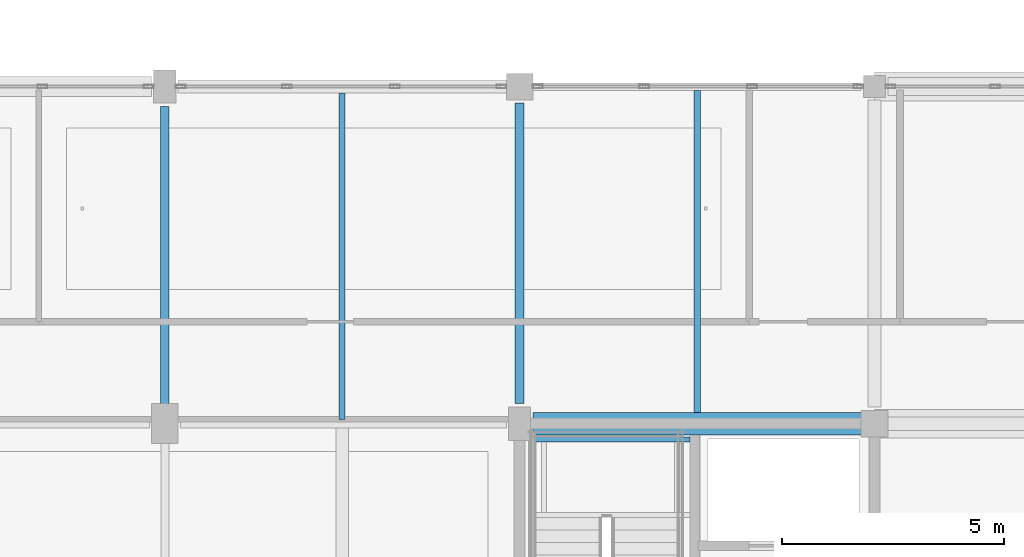
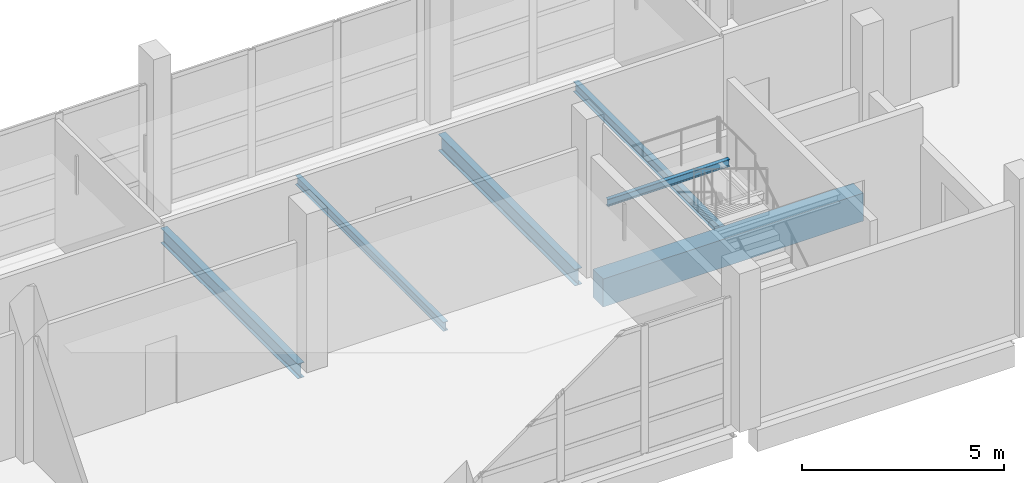
# One storey, part 34 of 141: 6 beams.
"""IFC4 building model written with IfcOpenShell, lengths in metres."""

from ifc_helpers import new_model, si_unit, direction, frame, origin, origin_2d, place, context, subcontext, project, spatial, rectangle, i_section, extrude, material, material_profile, profile_set, type_object, element, save


model = new_model("IFC4")

# Units and contexts
model_context = context("Model", 3, precision=1e-05, world=origin(), true_north=direction((0.0, 1.0)))
body_context = subcontext(model_context, "Body", "Model", "MODEL_VIEW")
ifc_project = project(units=[si_unit("LENGTHUNIT", "METRE"), si_unit("AREAUNIT", "SQUARE_METRE"), si_unit("VOLUMEUNIT", "CUBIC_METRE"), si_unit("PLANEANGLEUNIT", "RADIAN"), si_unit("MASSUNIT", "GRAM", prefix="KILO")], contexts=[model_context])

# Site, building, storey
site_placement = place(None, origin())
site = spatial("IfcSite", under=ifc_project, at=site_placement, CompositionType="ELEMENT")
building_placement = place(site_placement, origin())
building = spatial("IfcBuilding", under=site, at=building_placement, Name="Khelvaren Railside Concert Hall", CompositionType="ELEMENT")
storey_placement = place(building_placement, frame((0.0, 0.0, 10.199951171875)))
storey = spatial("IfcBuildingStorey", under=building, at=storey_placement, Name="L02", CompositionType="ELEMENT", Elevation=10.199951171875)

# Beams
ifc_material_1 = material(Name="Steel S355", Category="steel")
ifc_material_profile_1 = material_profile(ifc_material_1, i_section(OverallWidth=0.199951171875, OverallDepth=0.5, WebThickness=0.01025390625, FlangeThickness=0.01611328125, FilletRadius=0.02099609375, at=origin_2d()), Name="IPE 500")
ifc_profile_set_1 = profile_set([ifc_material_profile_1], Name="Steel S355")
beam_type_1 = type_object("IfcBeamType", Name="BM62", PredefinedType="BEAM", material=ifc_profile_set_1)
beam_1_placement = place(storey_placement, frame((120.0, 8.050048828125, -0.5400390625), z_axis=(0.0, 1.0, 0.0), x_axis=(-1.0, 0.0, 0.0)))
element("IfcBeam", 1, at=beam_1_placement, inside=storey, type_object=beam_type_1, Name="V3 L02 Beam Y8.2", PredefinedType="BEAM", context=body_context, shape_type="SweptSolid", body=[
    extrude(i_section(OverallWidth=0.199951171875, OverallDepth=0.5, WebThickness=0.01025390625, FlangeThickness=0.01611328125, FilletRadius=0.02099609375, at=origin_2d()), origin(), (0.0, 0.0, 1.0), 6.77490234375),
])
ifc_material_profile_2 = material_profile(ifc_material_1, i_section(OverallWidth=0.110107421875, OverallDepth=0.219970703125, WebThickness=0.005859375, FlangeThickness=0.00927734375, FilletRadius=0.011962890625, at=origin_2d()), Name="IPE 220")
ifc_profile_set_2 = profile_set([ifc_material_profile_2], Name="Steel S355")
beam_type_2 = type_object("IfcBeamType", Name="BM87", PredefinedType="BEAM", material=ifc_profile_set_2)
beam_2_placement = place(storey_placement, frame((120.344970703125, 7.239990234375, 2.090087890625), z_axis=(1.0, 0.0, 0.0), x_axis=(0.0, 1.0, 0.0)))
element("IfcBeam", 2, at=beam_2_placement, inside=storey, type_object=beam_type_2, Name="ST-06 L02 Half-Landing Rear Beam", PredefinedType="BEAM", context=body_context, shape_type="SweptSolid", body=[
    extrude(i_section(OverallWidth=0.110107421875, OverallDepth=0.219970703125, WebThickness=0.005859375, FlangeThickness=0.00927734375, FilletRadius=0.011962890625, at=origin_2d()), origin(), (0.0, 0.0, 1.0), 3.4951171875),
])
ifc_material_profile_3 = material_profile(ifc_material_1, i_section(OverallWidth=0.18994140625, OverallDepth=0.449951171875, WebThickness=0.009521484375, FlangeThickness=0.0146484375, FilletRadius=0.02099609375, at=origin_2d()), Name="IPE 450")
ifc_profile_set_3 = profile_set([ifc_material_profile_3], Name="Steel S355")
beam_type_3 = type_object("IfcBeamType", Name="BM95", PredefinedType="BEAM", material=ifc_profile_set_3)
beam_3_placement = place(storey_placement, frame((112.0, 7.949951171875, -0.514892578125), z_axis=(0.0, 1.0, 0.0), x_axis=(-1.0, 0.0, 0.0)))
element("IfcBeam", 3, at=beam_3_placement, inside=storey, type_object=beam_type_3, Name="V3 L02 Beam Y7.2", PredefinedType="BEAM", context=body_context, shape_type="SweptSolid", body=[
    extrude(i_section(OverallWidth=0.18994140625, OverallDepth=0.449951171875, WebThickness=0.009521484375, FlangeThickness=0.0146484375, FilletRadius=0.02099609375, at=origin_2d()), origin(), (0.0, 0.0, 1.0), 6.800048828125),
])
ifc_material_2 = material(Name="Concrete C40/50", Category="concrete")
ifc_material_profile_4 = material_profile(ifc_material_2, rectangle(XDim=0.5, YDim=0.85009765625, at=origin_2d()), Name="RCB 500x850")
ifc_profile_set_4 = profile_set([ifc_material_profile_4], Name="Concrete C40/50")
beam_type_4 = type_object("IfcBeamType", Name="GR96", PredefinedType="T_BEAM", material=ifc_profile_set_4)
beam_4_placement = place(storey_placement, frame((120.300048828125, 7.60009765625, -0.71484375), z_axis=(1.0, 0.0, 0.0), x_axis=(0.0, 1.0, 0.0)))
element("IfcBeam", 4, at=beam_4_placement, inside=storey, type_object=beam_type_4, Name="V3 L02 T_Beam X2.8", PredefinedType="T_BEAM", context=body_context, shape_type="SweptSolid", body=[
    extrude(rectangle(XDim=0.5, YDim=0.85009765625, at=origin_2d()), origin(), (0.0, 0.0, 1.0), 7.449951171875),
])
ifc_material_profile_5 = material_profile(ifc_material_1, i_section(OverallWidth=0.14990234375, OverallDepth=0.300048828125, WebThickness=0.007080078125, FlangeThickness=0.0107421875, FilletRadius=0.014892578125, at=origin_2d()), Name="IPE 300")
ifc_profile_set_5 = profile_set([ifc_material_profile_5], Name="Steel S355")
beam_type_5 = type_object("IfcBeamType", Name="JS26", PredefinedType="JOIST", material=ifc_profile_set_5)
beam_5_placement = place(storey_placement, frame((124.0, 7.85009765625, -0.43994140625), z_axis=(0.0, 1.0, 0.0), x_axis=(-1.0, 0.0, 0.0)))
element("IfcBeam", 5, at=beam_5_placement, inside=storey, type_object=beam_type_5, Name="V3 L02 Secondary Joist 8.2", PredefinedType="JOIST", context=body_context, shape_type="SweptSolid", body=[
    extrude(i_section(OverallWidth=0.14990234375, OverallDepth=0.300048828125, WebThickness=0.007080078125, FlangeThickness=0.0107421875, FilletRadius=0.014892578125, at=origin_2d()), origin(), (0.0, 0.0, 1.0), 7.264892578125),
])
ifc_material_profile_6 = material_profile(ifc_material_1, i_section(OverallWidth=0.135009765625, OverallDepth=0.27001953125, WebThickness=0.006591796875, FlangeThickness=0.01025390625, FilletRadius=0.014892578125, at=origin_2d()), Name="IPE 270")
ifc_profile_set_6 = profile_set([ifc_material_profile_6], Name="Steel S355")
beam_type_6 = type_object("IfcBeamType", Name="JS78", PredefinedType="JOIST", material=ifc_profile_set_6)
beam_6_placement = place(storey_placement, frame((116.0, 7.699951171875, -0.425048828125), z_axis=(0.0, 1.0, 0.0), x_axis=(-1.0, 0.0, 0.0)))
element("IfcBeam", 6, at=beam_6_placement, inside=storey, type_object=beam_type_6, Name="V3 L02 Secondary Joist 7.2", PredefinedType="JOIST", context=body_context, shape_type="SweptSolid", body=[
    extrude(i_section(OverallWidth=0.135009765625, OverallDepth=0.27001953125, WebThickness=0.006591796875, FlangeThickness=0.01025390625, FilletRadius=0.014892578125, at=origin_2d()), origin(), (0.0, 0.0, 1.0), 7.35009765625),
])

save(model, "model.ifc")
